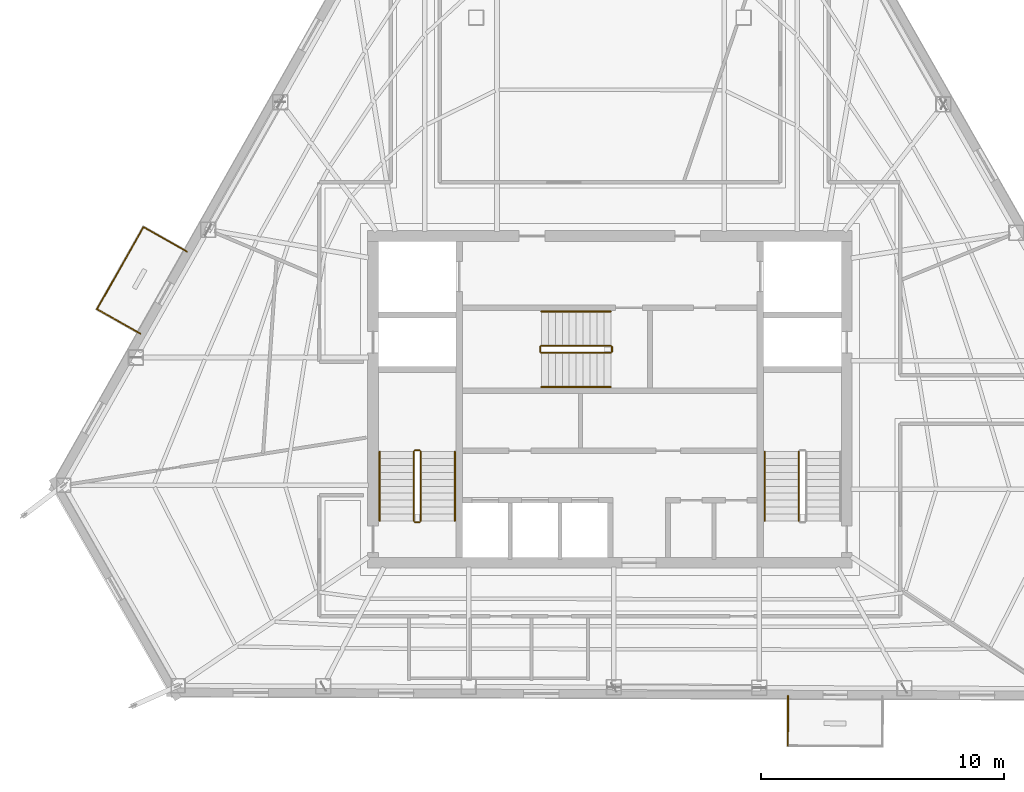
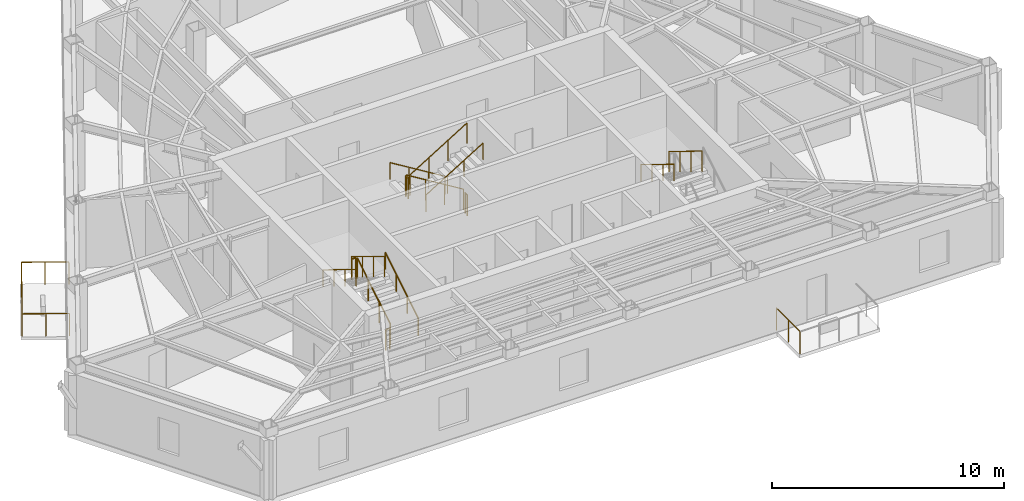
# One storey, part 11 of 13: 18 railings.
"""IFC4 building model written with IfcOpenShell, lengths in metres."""

from ifc_helpers import new_model, si_unit, direction, frame, origin, origin_2d, place, context, subcontext, project, spatial, circle, extrude, material, type_object, element, save


model = new_model("IFC4")

# Units and contexts
model_context = context("Model", 3, precision=1e-05, world=origin(), true_north=direction((0.0, 1.0)))
body_context = subcontext(model_context, "Body", "Model", "MODEL_VIEW")
ifc_project = project(units=[si_unit("LENGTHUNIT", "METRE"), si_unit("AREAUNIT", "SQUARE_METRE"), si_unit("VOLUMEUNIT", "CUBIC_METRE"), si_unit("PLANEANGLEUNIT", "RADIAN"), si_unit("MASSUNIT", "GRAM", prefix="KILO")], contexts=[model_context])

# Site, building, storey
site_placement = place(None, origin())
site = spatial("IfcSite", under=ifc_project, at=site_placement, CompositionType="ELEMENT")
building_placement = place(site_placement, origin())
building = spatial("IfcBuilding", under=site, at=building_placement, Name="Kavelnor Concourse Tower", CompositionType="ELEMENT")
storey_placement = place(building_placement, frame((0.0, 0.0, 168.85009765625)))
storey = spatial("IfcBuildingStorey", under=building, at=storey_placement, Name="L42", CompositionType="ELEMENT", Elevation=168.85009765625)

# Railings
ifc_material_1 = material(Name="Steel Grade 350", Category="steel")
railing_type_1 = type_object("IfcRailingType", Name="RLG-GUARD-1100", PredefinedType="GUARDRAIL", material=ifc_material_1)
railing_1_placement = place(storey_placement, frame((30.22998046875, 11.10009765625, 0.1748046875)))
element("IfcRailing", 1, at=railing_1_placement, inside=storey, type_object=railing_type_1, Name="L42 ST1 stair guard 1", PredefinedType="GUARDRAIL", context=body_context, shape_type="SweptSolid", body=[
    extrude(circle(Radius=0.02392578125, at=origin_2d()), frame((0.0, 0.0, 1.076171875), z_axis=(0.0, 0.852159232446, 0.523282564737), x_axis=(-1.0, 0.0, 0.0)), (0.0, 0.0, 1.0), 3.34423828125),
    extrude(circle(Radius=0.02099609375, at=origin_2d()), origin(), (0.0, 0.0, 1.0), 1.052001953125),
    extrude(circle(Radius=0.02099609375, at=origin_2d()), frame((0.0, 0.949951171875, 0.583251953125)), (0.0, 0.0, 1.0), 1.052001953125),
    extrude(circle(Radius=0.02099609375, at=origin_2d()), frame((0.0, 1.89990234375, 1.166748046875)), (0.0, 0.0, 1.0), 1.052001953125),
    extrude(circle(Radius=0.02099609375, at=origin_2d()), frame((0.0, 2.849853515625, 1.75)), (0.0, 0.0, 1.0), 1.052001953125),
])
railing_2_placement = place(storey_placement, frame((30.179931640625, 14.0, 1.9248046875)))
element("IfcRailing", 2, at=railing_2_placement, inside=storey, type_object=railing_type_1, Name="L42 ST1 stair guard 2", PredefinedType="GUARDRAIL", context=body_context, shape_type="SweptSolid", body=[
    extrude(circle(Radius=0.02392578125, at=origin_2d()), frame((0.0, 0.0, 1.076171875), z_axis=(-1.0, 0.0, 0.0), x_axis=(0.0, -1.0, 0.0)), (0.0, 0.0, 1.0), 0.199951171875),
    extrude(circle(Radius=0.02099609375, at=origin_2d()), origin(), (0.0, 0.0, 1.0), 1.052001953125),
    extrude(circle(Radius=0.02099609375, at=origin_2d()), frame((-0.199951171875, 0.0, 0.0)), (0.0, 0.0, 1.0), 1.052001953125),
])
railing_3_placement = place(storey_placement, frame((29.929931640625, 13.949951171875, 2.099853515625)))
element("IfcRailing", 3, at=railing_3_placement, inside=storey, type_object=railing_type_1, Name="L42 ST1 stair guard 3", PredefinedType="GUARDRAIL", context=body_context, shape_type="SweptSolid", body=[
    extrude(circle(Radius=0.02392578125, at=origin_2d()), frame((0.0, 0.0, 1.076171875), z_axis=(0.0, -0.852159232446, 0.523282564737), x_axis=(1.0, 0.0, 0.0)), (0.0, 0.0, 1.0), 3.34423828125),
    extrude(circle(Radius=0.02099609375, at=origin_2d()), origin(), (0.0, 0.0, 1.0), 1.052001953125),
    extrude(circle(Radius=0.02099609375, at=origin_2d()), frame((0.0, -0.949951171875, 0.583251953125)), (0.0, 0.0, 1.0), 1.052001953125),
    extrude(circle(Radius=0.02099609375, at=origin_2d()), frame((0.0, -1.89990234375, 1.166748046875)), (0.0, 0.0, 1.0), 1.052001953125),
    extrude(circle(Radius=0.02099609375, at=origin_2d()), frame((0.0, -2.849853515625, 1.75)), (0.0, 0.0, 1.0), 1.052001953125),
])
railing_4_placement = place(storey_placement, frame((30.179931640625, 11.050048828125, 0.0)))
element("IfcRailing", 4, at=railing_4_placement, inside=storey, type_object=railing_type_1, Name="L42 ST1 stair guard 4", PredefinedType="GUARDRAIL", context=body_context, shape_type="SweptSolid", body=[
    extrude(circle(Radius=0.02392578125, at=origin_2d()), frame((0.0, 0.0, 1.076171875), z_axis=(-1.0, 0.0, 0.0), x_axis=(0.0, -1.0, 0.0)), (0.0, 0.0, 1.0), 0.199951171875),
    extrude(circle(Radius=0.02099609375, at=origin_2d()), origin(), (0.0, 0.0, 1.0), 1.052001953125),
    extrude(circle(Radius=0.02099609375, at=origin_2d()), frame((-0.199951171875, 0.0, 0.0)), (0.0, 0.0, 1.0), 1.052001953125),
])
railing_5_placement = place(storey_placement, frame((45.77001953125, 13.949951171875, 2.099853515625)))
element("IfcRailing", 5, at=railing_5_placement, inside=storey, type_object=railing_type_1, Name="L42 ST2 stair guard 3", PredefinedType="GUARDRAIL", context=body_context, shape_type="SweptSolid", body=[
    extrude(circle(Radius=0.02392578125, at=origin_2d()), frame((0.0, 0.0, 1.076171875), z_axis=(0.0, -0.852159232446, 0.523282564737), x_axis=(1.0, 0.0, 0.0)), (0.0, 0.0, 1.0), 3.34423828125),
    extrude(circle(Radius=0.02099609375, at=origin_2d()), origin(), (0.0, 0.0, 1.0), 1.052001953125),
    extrude(circle(Radius=0.02099609375, at=origin_2d()), frame((0.0, -0.949951171875, 0.583251953125)), (0.0, 0.0, 1.0), 1.052001953125),
    extrude(circle(Radius=0.02099609375, at=origin_2d()), frame((0.0, -1.89990234375, 1.166748046875)), (0.0, 0.0, 1.0), 1.052001953125),
    extrude(circle(Radius=0.02099609375, at=origin_2d()), frame((0.0, -2.849853515625, 1.75)), (0.0, 0.0, 1.0), 1.052001953125),
])
railing_6_placement = place(storey_placement, frame((38.0400390625, 18.31005859375, 0.1748046875)))
element("IfcRailing", 6, at=railing_6_placement, inside=storey, type_object=railing_type_1, Name="L42 ST3 stair guard 1", PredefinedType="GUARDRAIL", context=body_context, shape_type="SweptSolid", body=[
    extrude(circle(Radius=0.02392578125, at=origin_2d()), frame((0.0, 0.0, 1.076171875), z_axis=(-0.852179220489, 0.0, 0.52325001306), x_axis=(0.0, -1.0, 0.0)), (0.0, 0.0, 1.0), 3.344482421875),
    extrude(circle(Radius=0.02099609375, at=origin_2d()), origin(), (0.0, 0.0, 1.0), 1.052001953125),
    extrude(circle(Radius=0.02099609375, at=origin_2d()), frame((-0.949951171875, 0.0, 0.583251953125)), (0.0, 0.0, 1.0), 1.052001953125),
    extrude(circle(Radius=0.02099609375, at=origin_2d()), frame((-1.900146484375, 0.0, 1.166748046875)), (0.0, 0.0, 1.0), 1.052001953125),
    extrude(circle(Radius=0.02099609375, at=origin_2d()), frame((-2.85009765625, 0.0, 1.75)), (0.0, 0.0, 1.0), 1.052001953125),
])
railing_7_placement = place(storey_placement, frame((35.139892578125, 18.260009765625, 1.9248046875)))
element("IfcRailing", 7, at=railing_7_placement, inside=storey, type_object=railing_type_1, Name="L42 ST3 stair guard 2", PredefinedType="GUARDRAIL", context=body_context, shape_type="SweptSolid", body=[
    extrude(circle(Radius=0.02392578125, at=origin_2d()), frame((0.0, 0.0, 1.076171875), z_axis=(0.0, -1.0, 0.0), x_axis=(1.0, 0.0, 0.0)), (0.0, 0.0, 1.0), 0.199951171875),
    extrude(circle(Radius=0.02099609375, at=origin_2d()), origin(), (0.0, 0.0, 1.0), 1.052001953125),
    extrude(circle(Radius=0.02099609375, at=origin_2d()), frame((0.0, -0.199951171875, 0.0)), (0.0, 0.0, 1.0), 1.052001953125),
])
railing_8_placement = place(storey_placement, frame((35.18994140625, 18.010009765625, 2.099853515625)))
element("IfcRailing", 8, at=railing_8_placement, inside=storey, type_object=railing_type_1, Name="L42 ST3 stair guard 3", PredefinedType="GUARDRAIL", context=body_context, shape_type="SweptSolid", body=[
    extrude(circle(Radius=0.02392578125, at=origin_2d()), frame((0.0, 0.0, 1.076171875), z_axis=(0.852179220489, 0.0, 0.52325001306), x_axis=(0.0, 1.0, 0.0)), (0.0, 0.0, 1.0), 3.344482421875),
    extrude(circle(Radius=0.02099609375, at=origin_2d()), origin(), (0.0, 0.0, 1.0), 1.052001953125),
    extrude(circle(Radius=0.02099609375, at=origin_2d()), frame((0.949951171875, 0.0, 0.583251953125)), (0.0, 0.0, 1.0), 1.052001953125),
    extrude(circle(Radius=0.02099609375, at=origin_2d()), frame((1.900146484375, 0.0, 1.166748046875)), (0.0, 0.0, 1.0), 1.052001953125),
    extrude(circle(Radius=0.02099609375, at=origin_2d()), frame((2.85009765625, 0.0, 1.75)), (0.0, 0.0, 1.0), 1.052001953125),
])
railing_9_placement = place(storey_placement, frame((38.090087890625, 18.260009765625, 0.0)))
element("IfcRailing", 9, at=railing_9_placement, inside=storey, type_object=railing_type_1, Name="L42 ST3 stair guard 4", PredefinedType="GUARDRAIL", context=body_context, shape_type="SweptSolid", body=[
    extrude(circle(Radius=0.02392578125, at=origin_2d()), frame((0.0, 0.0, 1.076171875), z_axis=(0.0, -1.0, 0.0), x_axis=(1.0, 0.0, 0.0)), (0.0, 0.0, 1.0), 0.199951171875),
    extrude(circle(Radius=0.02099609375, at=origin_2d()), origin(), (0.0, 0.0, 1.0), 1.052001953125),
    extrude(circle(Radius=0.02099609375, at=origin_2d()), frame((0.0, -0.199951171875, 0.0)), (0.0, 0.0, 1.0), 1.052001953125),
])
railing_type_2 = type_object("IfcRailingType", Name="RLG-HANDRAIL-900", PredefinedType="HANDRAIL", material=ifc_material_1)
railing_10_placement = place(storey_placement, frame((31.6298828125, 11.10009765625, 0.1748046875)))
element("IfcRailing", 10, at=railing_10_placement, inside=storey, type_object=railing_type_2, Name="L42 ST1 stair handrail 1", PredefinedType="HANDRAIL", context=body_context, shape_type="SweptSolid", body=[
    extrude(circle(Radius=0.02392578125, at=origin_2d()), frame((0.0, 0.0, 0.8759765625), z_axis=(0.0, 0.852159232446, 0.523282564737), x_axis=(-1.0, 0.0, 0.0)), (0.0, 0.0, 1.0), 3.34423828125),
    extrude(circle(Radius=0.02099609375, at=origin_2d()), origin(), (0.0, 0.0, 1.0), 0.851806640625),
    extrude(circle(Radius=0.02099609375, at=origin_2d()), frame((0.0, 0.949951171875, 0.583251953125)), (0.0, 0.0, 1.0), 0.851806640625),
    extrude(circle(Radius=0.02099609375, at=origin_2d()), frame((0.0, 1.89990234375, 1.166748046875)), (0.0, 0.0, 1.0), 0.851806640625),
    extrude(circle(Radius=0.02099609375, at=origin_2d()), frame((0.0, 2.849853515625, 1.75)), (0.0, 0.0, 1.0), 0.851806640625),
])
for number, where, name in (
    (11, (28.530029296875, 13.949951171875, 2.099853515625), "L42 ST1 stair handrail 2"),
    (12, (44.3701171875, 13.949951171875, 2.099853515625), "L42 ST2 stair handrail 2"),
):
    element("IfcRailing", number, at=place(storey_placement, frame(where)), inside=storey, type_object=railing_type_2, Name=name, PredefinedType="HANDRAIL", context=body_context, shape_type="SweptSolid", body=[
        extrude(circle(Radius=0.02392578125, at=origin_2d()), frame((0.0, 0.0, 0.8759765625), z_axis=(0.0, -0.852159232446, 0.523282564737), x_axis=(1.0, 0.0, 0.0)), (0.0, 0.0, 1.0), 3.34423828125),
        extrude(circle(Radius=0.02099609375, at=origin_2d()), origin(), (0.0, 0.0, 1.0), 0.851806640625),
        extrude(circle(Radius=0.02099609375, at=origin_2d()), frame((0.0, -0.949951171875, 0.583251953125)), (0.0, 0.0, 1.0), 0.851806640625),
        extrude(circle(Radius=0.02099609375, at=origin_2d()), frame((0.0, -1.89990234375, 1.166748046875)), (0.0, 0.0, 1.0), 0.851806640625),
        extrude(circle(Radius=0.02099609375, at=origin_2d()), frame((0.0, -2.849853515625, 1.75)), (0.0, 0.0, 1.0), 0.851806640625),
    ])
railing_11_placement = place(storey_placement, frame((38.0400390625, 19.7099609375, 0.1748046875)))
element("IfcRailing", 13, at=railing_11_placement, inside=storey, type_object=railing_type_2, Name="L42 ST3 stair handrail 1", PredefinedType="HANDRAIL", context=body_context, shape_type="SweptSolid", body=[
    extrude(circle(Radius=0.02392578125, at=origin_2d()), frame((0.0, 0.0, 0.8759765625), z_axis=(-0.852179220489, 0.0, 0.52325001306), x_axis=(0.0, -1.0, 0.0)), (0.0, 0.0, 1.0), 3.344482421875),
    extrude(circle(Radius=0.02099609375, at=origin_2d()), origin(), (0.0, 0.0, 1.0), 0.851806640625),
    extrude(circle(Radius=0.02099609375, at=origin_2d()), frame((-0.949951171875, 0.0, 0.583251953125)), (0.0, 0.0, 1.0), 0.851806640625),
    extrude(circle(Radius=0.02099609375, at=origin_2d()), frame((-1.900146484375, 0.0, 1.166748046875)), (0.0, 0.0, 1.0), 0.851806640625),
    extrude(circle(Radius=0.02099609375, at=origin_2d()), frame((-2.85009765625, 0.0, 1.75)), (0.0, 0.0, 1.0), 0.851806640625),
])
railing_12_placement = place(storey_placement, frame((35.18994140625, 16.610107421875, 2.099853515625)))
element("IfcRailing", 14, at=railing_12_placement, inside=storey, type_object=railing_type_2, Name="L42 ST3 stair handrail 2", PredefinedType="HANDRAIL", context=body_context, shape_type="SweptSolid", body=[
    extrude(circle(Radius=0.02392578125, at=origin_2d()), frame((0.0, 0.0, 0.8759765625), z_axis=(0.852179220489, 0.0, 0.52325001306), x_axis=(0.0, 1.0, 0.0)), (0.0, 0.0, 1.0), 3.344482421875),
    extrude(circle(Radius=0.02099609375, at=origin_2d()), origin(), (0.0, 0.0, 1.0), 0.851806640625),
    extrude(circle(Radius=0.02099609375, at=origin_2d()), frame((0.949951171875, 0.0, 0.583251953125)), (0.0, 0.0, 1.0), 0.851806640625),
    extrude(circle(Radius=0.02099609375, at=origin_2d()), frame((1.900146484375, 0.0, 1.166748046875)), (0.0, 0.0, 1.0), 0.851806640625),
    extrude(circle(Radius=0.02099609375, at=origin_2d()), frame((2.85009765625, 0.0, 1.75)), (0.0, 0.0, 1.0), 0.851806640625),
])
ifc_material_2 = material(Name="Architectural bronze-anodised aluminium", Category="aluminium")
railing_type_3 = type_object("IfcRailingType", Name="RLG-TERRACE-1200", PredefinedType="BALUSTRADE", material=ifc_material_2)
railing_13_placement = place(storey_placement, frame((20.60546875, 22.1767578125, 0.0)))
element("IfcRailing", 15, at=railing_13_placement, inside=storey, type_object=railing_type_3, Name="L42 Tree Balcony 1 Guardrail L", PredefinedType="BALUSTRADE", context=body_context, shape_type="SweptSolid", body=[
    extrude(circle(Radius=0.02392578125, at=origin_2d()), frame((0.0, 0.0, 1.17578125), z_axis=(-0.870440803111, 0.492273103347, 0.0), x_axis=(-0.492273103347, -0.870440803111, 0.0)), (0.0, 0.0, 1.0), 2.0498046875),
    extrude(circle(Radius=0.02099609375, at=origin_2d()), origin(), (0.0, 0.0, 1.0), 1.15185546875),
    extrude(circle(Radius=0.02099609375, at=origin_2d()), frame((-0.89208984375, 0.50439453125, 0.0)), (0.0, 0.0, 1.0), 1.15185546875),
    extrude(circle(Radius=0.02099609375, at=origin_2d()), frame((-1.7841796875, 1.009033203125, 0.0)), (0.0, 0.0, 1.0), 1.15185546875),
])
railing_14_placement = place(storey_placement, frame((18.8212890625, 23.185791015625, 0.0)))
element("IfcRailing", 16, at=railing_14_placement, inside=storey, type_object=railing_type_3, Name="L42 Tree Balcony 1 Guardrail F", PredefinedType="BALUSTRADE", context=body_context, shape_type="SweptSolid", body=[
    extrude(circle(Radius=0.02392578125, at=origin_2d()), frame((0.0, 0.0, 1.17578125), z_axis=(-0.492386900687, -0.870376435821, 0.0), x_axis=(0.870376435821, -0.492386900687, 0.0)), (0.0, 0.0, 1.0), 3.8798828125),
    extrude(circle(Radius=0.02099609375, at=origin_2d()), origin(), (0.0, 0.0, 1.0), 1.15185546875),
    extrude(circle(Radius=0.02099609375, at=origin_2d()), frame((-0.4775390625, -0.84423828125, 0.0)), (0.0, 0.0, 1.0), 1.15185546875),
    extrude(circle(Radius=0.02099609375, at=origin_2d()), frame((-0.955078125, -1.6884765625, 0.0)), (0.0, 0.0, 1.0), 1.15185546875),
    extrude(circle(Radius=0.02099609375, at=origin_2d()), frame((-1.432861328125, -2.53271484375, 0.0)), (0.0, 0.0, 1.0), 1.15185546875),
    extrude(circle(Radius=0.02099609375, at=origin_2d()), frame((-1.910400390625, -3.376953125, 0.0)), (0.0, 0.0, 1.0), 1.15185546875),
])
railing_15_placement = place(storey_placement, frame((16.910888671875, 19.808837890625, 0.0)))
element("IfcRailing", 17, at=railing_15_placement, inside=storey, type_object=railing_type_3, Name="L42 Tree Balcony 1 Guardrail R", PredefinedType="BALUSTRADE", context=body_context, shape_type="SweptSolid", body=[
    extrude(circle(Radius=0.02392578125, at=origin_2d()), frame((0.0, 0.0, 1.17578125), z_axis=(0.870418632481, -0.492312303554, 0.0), x_axis=(0.492312303554, 0.870418632481, 0.0)), (0.0, 0.0, 1.0), 2.050048828125),
    extrude(circle(Radius=0.02099609375, at=origin_2d()), origin(), (0.0, 0.0, 1.0), 1.15185546875),
    extrude(circle(Radius=0.02099609375, at=origin_2d()), frame((0.89208984375, -0.504638671875, 0.0)), (0.0, 0.0, 1.0), 1.15185546875),
    extrude(circle(Radius=0.02099609375, at=origin_2d()), frame((1.784423828125, -1.00927734375, 0.0)), (0.0, 0.0, 1.0), 1.15185546875),
])
railing_16_placement = place(storey_placement, frame((45.328857421875, 3.912841796875, 0.0)))
element("IfcRailing", 18, at=railing_16_placement, inside=storey, type_object=railing_type_3, Name="L42 Tree Balcony 2 Guardrail L", PredefinedType="BALUSTRADE", context=body_context, shape_type="SweptSolid", body=[
    extrude(circle(Radius=0.02392578125, at=origin_2d()), frame((0.0, 0.0, 1.17578125), z_axis=(-0.003334505697, -0.99999444052, 0.0), x_axis=(0.99999444052, -0.003334505697, 0.0)), (0.0, 0.0, 1.0), 2.050048828125),
    extrude(circle(Radius=0.02099609375, at=origin_2d()), origin(), (0.0, 0.0, 1.0), 1.15185546875),
    extrude(circle(Radius=0.02099609375, at=origin_2d()), frame((-0.00341796875, -1.02490234375, 0.0)), (0.0, 0.0, 1.0), 1.15185546875),
    extrude(circle(Radius=0.02099609375, at=origin_2d()), frame((-0.0068359375, -2.050048828125, 0.0)), (0.0, 0.0, 1.0), 1.15185546875),
])

save(model, "model.ifc")
